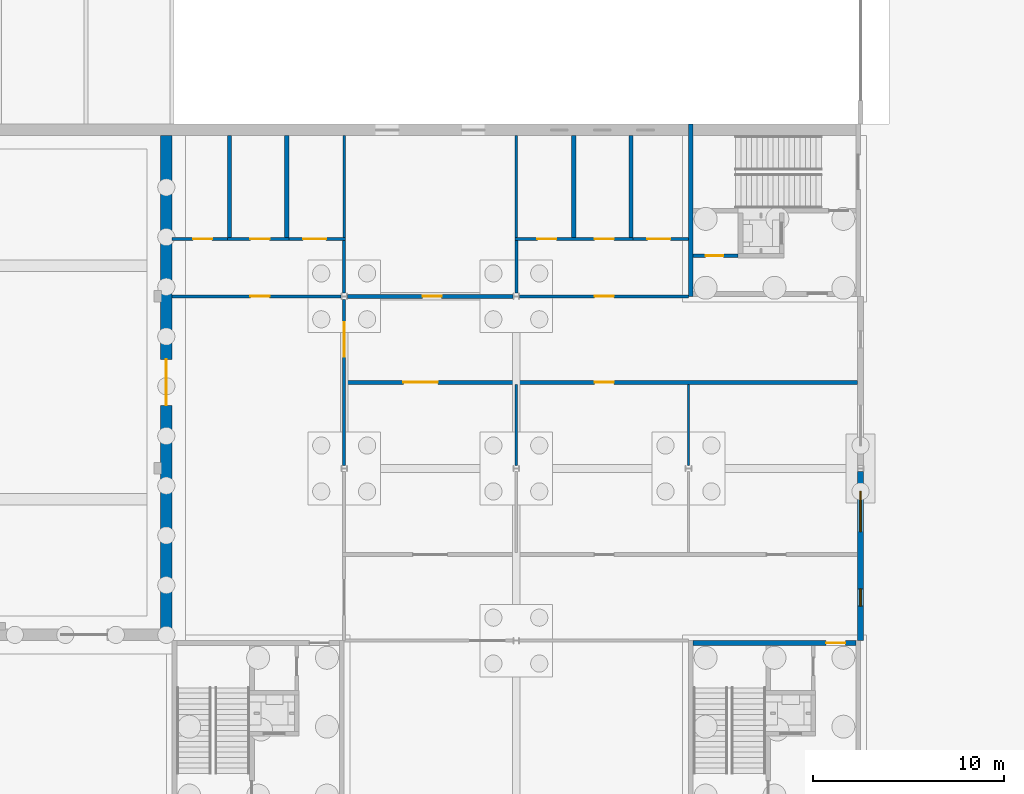
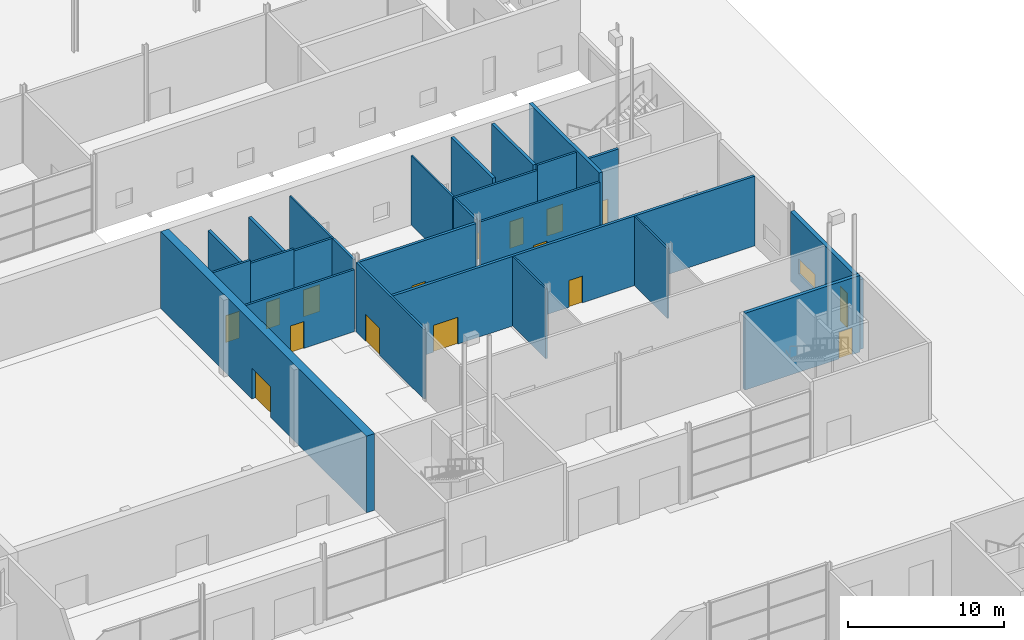
# One storey, part 77 of 97: 25 walls, 15 doors, 2 windows, 17 openings.
"""IFC4 building model written with IfcOpenShell, lengths in metres."""

from ifc_helpers import new_model, si_unit, direction, frame, frame_2d, origin, place, context, subcontext, project, spatial, rectangle, extrude, material, layer, layer_set, type_object, element, fill, save


model = new_model("IFC4")

# Units and contexts
model_context = context("Model", 3, precision=1e-05, world=origin(), true_north=direction((0.0, 1.0)))
body_context = subcontext(model_context, "Body", "Model", "MODEL_VIEW")
ifc_project = project(units=[si_unit("LENGTHUNIT", "METRE"), si_unit("AREAUNIT", "SQUARE_METRE"), si_unit("VOLUMEUNIT", "CUBIC_METRE"), si_unit("PLANEANGLEUNIT", "RADIAN"), si_unit("MASSUNIT", "GRAM", prefix="KILO")], contexts=[model_context])

# Site, building, storey
site_placement = place(None, origin())
site = spatial("IfcSite", under=ifc_project, at=site_placement, CompositionType="ELEMENT")
building_placement = place(site_placement, origin())
building = spatial("IfcBuilding", under=site, at=building_placement, Name="Corbel Yard City Hall", CompositionType="ELEMENT")
storey_placement = place(building_placement, origin())
storey = spatial("IfcBuildingStorey", under=building, at=storey_placement, Name="L00", CompositionType="ELEMENT", Elevation=0.0)

# Wall, opening, door
ifc_material_1 = material(Name="Concrete N50 (50 MPa)", Category="concrete")
ifc_layer_1 = layer(ifc_material_1, 0.60009765625)
ifc_layer_set_1 = layer_set([ifc_layer_1], Name="Concrete N50 (50 MPa)")
wall_type_1 = type_object("IfcWallType", Name="Chamber wall 600", PredefinedType="SHEAR", material=ifc_layer_set_1)
wall_1_placement = place(storey_placement, frame((143.699951171875, 54.0, 0.0), z_axis=(0.0, 0.0, 1.0), x_axis=(0.0, 1.0, 0.0)))
wall_1 = element("IfcWall", 1, at=wall_1_placement, inside=storey, type_object=wall_type_1, Name="Chamber east wall", PredefinedType="SHEAR", context=body_context, shape_type="SweptSolid", body=[
    extrude(rectangle(XDim=26.39990234375, YDim=0.60009765625, at=frame_2d((13.199951171875, 0.0))), origin(), (0.0, 0.0, 1.0), 6.0),
])
opening_1_placement = place(wall_1_placement, frame((12.300048828125, 0.0, 0.0)))
opening_1 = element("IfcOpeningElement", 2, at=opening_1_placement, cuts=wall_1, Name="Opening L00-166", PredefinedType="OPENING", context=body_context, shape_type="SweptSolid", body=[
    extrude(rectangle(XDim=2.39990234375, YDim=2.39990234375, at=frame_2d((1.199951171875, 1.199951171875))), frame((0.0, 0.31005859375, 0.0), z_axis=(0.0, -1.0, 0.0), x_axis=(1.0, 0.0, 0.0)), (0.0, 0.0, 1.0), 0.6201171875),
])
ifc_material_2 = material(Name="Steel Grade G250", Category="steel")
door_type_1 = type_object("IfcDoorType", Name="FS9", OperationType="DOUBLE_DOOR_SINGLE_SWING", PredefinedType="DOOR", material=ifc_material_2)
door_1_placement = place(opening_1_placement, origin())
door_1 = element("IfcDoor", 3, at=door_1_placement, inside=storey, type_object=door_type_1, Name="Door Council Chamber East Aisle", OperationType="DOUBLE_DOOR_SINGLE_SWING", OverallHeight=2.39990234375, OverallWidth=2.39990234375, PredefinedType="DOOR", context=body_context, shape_type="SweptSolid", body=[
    extrude(rectangle(XDim=2.39990234375, YDim=2.39990234375, at=frame_2d((1.199951171875, 1.199951171875))), frame((0.0, 0.02490234375, 0.0), z_axis=(0.0, -1.0, 0.0), x_axis=(1.0, 0.0, 0.0)), (0.0, 0.0, 1.0), 0.050048828125),
])
fill(opening_1, door_1)

ifc_layer_2 = layer(ifc_material_1, 0.25)
ifc_layer_set_2 = layer_set([ifc_layer_2], Name="Concrete N50 (50 MPa)")
wall_type_2 = type_object("IfcWallType", Name="Core cell wall 250", PredefinedType="SHEAR", material=ifc_layer_set_2)
wall_2_placement = place(storey_placement, frame((171.25, 53.875, 0.0), z_axis=(0.0, 0.0, 1.0), x_axis=(1.0, 0.0, 0.0)))
wall_2 = element("IfcWall", 4, at=wall_2_placement, inside=storey, type_object=wall_type_2, Name="Core PC-M5 north wall", PredefinedType="SHEAR", context=body_context, shape_type="SweptSolid", body=[
    extrude(rectangle(XDim=8.5, YDim=0.25, at=frame_2d((4.25, 0.0))), origin(), (0.0, 0.0, 1.0), 6.0),
])
opening_2_placement = place(wall_2_placement, frame((6.949951171875, 0.0, 0.0)))
opening_2 = element("IfcOpeningElement", 5, at=opening_2_placement, cuts=wall_2, Name="Opening L00-168", PredefinedType="OPENING", context=body_context, shape_type="SweptSolid", body=[
    extrude(rectangle(XDim=1.0, YDim=2.10009765625, at=frame_2d((0.5, 1.050048828125))), frame((0.0, 0.135009765625, 0.0), z_axis=(0.0, -1.0, 0.0), x_axis=(1.0, 0.0, 0.0)), (0.0, 0.0, 1.0), 0.27001953125),
])
door_type_2 = type_object("IfcDoorType", Name="FS1", OperationType="SINGLE_SWING_LEFT", PredefinedType="DOOR", material=ifc_material_2)
door_2_placement = place(opening_2_placement, frame((1.0, 0.0, 0.0), z_axis=(0.0, 0.0, 1.0), x_axis=(-1.0, 0.0, 0.0)))
door_2 = element("IfcDoor", 6, at=door_2_placement, inside=storey, type_object=door_type_2, Name="Door Lift Lobby", OperationType="SINGLE_SWING_RIGHT", OverallHeight=2.10009765625, OverallWidth=1.0, PredefinedType="DOOR", context=body_context, shape_type="SweptSolid", body=[
    extrude(rectangle(XDim=1.0, YDim=2.10009765625, at=frame_2d((0.5, 1.050048828125))), frame((0.0, 0.02490234375, 0.0), z_axis=(0.0, -1.0, 0.0), x_axis=(1.0, 0.0, 0.0)), (0.0, 0.0, 1.0), 0.050048828125),
])
fill(opening_2, door_2)

# Wall
wall_3_placement = place(storey_placement, frame((171.125, 72.0, 0.0), z_axis=(0.0, 0.0, 1.0), x_axis=(0.0, 1.0, 0.0)))
element("IfcWall", 7, at=wall_3_placement, inside=storey, type_object=wall_type_2, Name="Core PC-M8 west wall", PredefinedType="SHEAR", context=body_context, shape_type="SweptSolid", body=[
    extrude(rectangle(XDim=9.0, YDim=0.25, at=frame_2d((4.5, 0.0))), origin(), (0.0, 0.0, 1.0), 6.0),
])

# Wall, openings, windows
ifc_material_3 = material(Name="Sandstone cladding", Category="masonry")
ifc_layer_3 = layer(ifc_material_3, 0.0400390625)
ifc_material_4 = material(Name="Air cavity", Category="air")
ifc_layer_4 = layer(ifc_material_4, 0.0400390625)
ifc_material_5 = material(Name="Concrete block", Category="concrete")
ifc_layer_5 = layer(ifc_material_5, 0.18994140625)
ifc_material_6 = material(Name="Gypsum plasterboard", Category="gypsum")
ifc_layer_6 = layer(ifc_material_6, 0.030029296875)
ifc_layer_set_3 = layer_set([ifc_layer_3, ifc_layer_4, ifc_layer_5, ifc_layer_6], Name="Concrete block")
wall_type_3 = type_object("IfcWallType", Name="EW1", PredefinedType="SOLIDWALL", material=ifc_layer_set_3)
wall_4_placement = place(storey_placement, frame((180.0, 54.0, 0.0), z_axis=(0.0, 0.0, 1.0), x_axis=(0.0, 1.0, 0.0)))
wall_4 = element("IfcWall", 8, at=wall_4_placement, inside=storey, type_object=wall_type_3, Name="External wall", PredefinedType="SOLIDWALL", context=body_context, shape_type="SweptSolid", body=[
    extrude(rectangle(XDim=8.846435546875, YDim=0.300048828125, at=frame_2d((4.42333984375, 0.0))), origin(), (0.0, 0.0, 1.0), 5.444091796875),
])
opening_3_placement = place(wall_4_placement, frame((1.800048828125, 0.0, 0.60009765625)))
opening_3 = element("IfcOpeningElement", 9, at=opening_3_placement, cuts=wall_4, Name="Opening WN14", PredefinedType="OPENING", context=body_context, shape_type="SweptSolid", body=[
    extrude(rectangle(XDim=0.89990234375, YDim=2.699951171875, at=frame_2d((0.449951171875, 1.35009765625))), frame((0.0, 0.159912109375, 0.0), z_axis=(0.0, -1.0, 0.0), x_axis=(1.0, 0.0, 0.0)), (0.0, 0.0, 1.0), 0.320068359375),
])
opening_4_placement = place(wall_4_placement, frame((5.699951171875, 0.0, 1.199951171875)))
opening_4 = element("IfcOpeningElement", 10, at=opening_4_placement, cuts=wall_4, Name="Opening WN19", PredefinedType="OPENING", context=body_context, shape_type="SweptSolid", body=[
    extrude(rectangle(XDim=2.10009765625, YDim=1.199951171875, at=frame_2d((1.050048828125, 0.60009765625))), frame((0.0, 0.159912109375, 0.0), z_axis=(0.0, -1.0, 0.0), x_axis=(1.0, 0.0, 0.0)), (0.0, 0.0, 1.0), 0.320068359375),
])
ifc_material_7 = material(Name="Aluminium frame, double glazed low-e glass", Category="aluminium")
window_type_1 = type_object("IfcWindowType", Name="WN14", PartitioningType="SINGLE_PANEL", PredefinedType="WINDOW", material=ifc_material_7)
window_1_placement = place(opening_3_placement, origin())
window_1 = element("IfcWindow", 11, at=window_1_placement, inside=storey, type_object=window_type_1, Name="Window WN14 L00", OverallHeight=2.699951171875, OverallWidth=0.89990234375, PartitioningType="SINGLE_PANEL", PredefinedType="WINDOW", context=body_context, shape_type="SweptSolid", body=[
    extrude(rectangle(XDim=0.89990234375, YDim=2.699951171875, at=frame_2d((0.449951171875, 1.35009765625))), frame((0.0, 0.030029296875, 0.0), z_axis=(0.0, -1.0, 0.0), x_axis=(1.0, 0.0, 0.0)), (0.0, 0.0, 1.0), 0.06005859375),
])
fill(opening_3, window_1)
window_type_2 = type_object("IfcWindowType", Name="WN19", PartitioningType="SINGLE_PANEL", PredefinedType="WINDOW", material=ifc_material_7)
window_2_placement = place(opening_4_placement, origin())
window_2 = element("IfcWindow", 12, at=window_2_placement, inside=storey, type_object=window_type_2, Name="Window WN19 L00", OverallHeight=1.199951171875, OverallWidth=2.10009765625, PartitioningType="SINGLE_PANEL", PredefinedType="WINDOW", context=body_context, shape_type="SweptSolid", body=[
    extrude(rectangle(XDim=2.10009765625, YDim=1.199951171875, at=frame_2d((1.050048828125, 0.60009765625))), frame((0.0, 0.030029296875, 0.0), z_axis=(0.0, -1.0, 0.0), x_axis=(1.0, 0.0, 0.0)), (0.0, 0.0, 1.0), 0.06005859375),
])
fill(opening_4, window_2)

# Walls
ifc_layer_7 = layer(ifc_material_6, 0.028076171875)
ifc_material_8 = material(Name="Steel Grade G550 (550 MPa yield)", Category="steel")
ifc_layer_8 = layer(ifc_material_8, 0.06396484375)
ifc_layer_9 = layer(ifc_material_6, 0.028076171875)
ifc_layer_set_4 = layer_set([ifc_layer_7, ifc_layer_8, ifc_layer_9], Name="Steel Grade G550 (550 MPa yield)")
wall_type_4 = type_object("IfcWallType", Name="PT1", PredefinedType="PARTITIONING", material=ifc_layer_set_4)
wall_5_placement = place(storey_placement, frame((153.0, 75.080078125, 0.0), z_axis=(0.0, 0.0, 1.0), x_axis=(0.0, 1.0, 0.0)))
element("IfcWall", 13, at=wall_5_placement, inside=storey, type_object=wall_type_4, Name="Partition", PredefinedType="PARTITIONING", context=body_context, shape_type="SweptSolid", body=[
    extrude(rectangle(XDim=5.31982421875, YDim=0.1201171875, at=frame_2d((2.659912109375, 0.0))), origin(), (0.0, 0.0, 1.0), 5.447021484375),
])
wall_6_placement = place(storey_placement, frame((162.0, 63.16357421875, 0.0), z_axis=(0.0, 0.0, 1.0), x_axis=(0.0, 1.0, 0.0)))
element("IfcWall", 14, at=wall_6_placement, inside=storey, type_object=wall_type_4, Name="Partition", PredefinedType="PARTITIONING", context=body_context, shape_type="SweptSolid", body=[
    extrude(rectangle(XDim=4.236328125, YDim=0.1201171875, at=frame_2d((2.1181640625, 0.0))), origin(), (0.0, 0.0, 1.0), 5.447021484375),
])
wall_7_placement = place(storey_placement, frame((162.0, 75.080078125, 0.0), z_axis=(0.0, 0.0, 1.0), x_axis=(0.0, 1.0, 0.0)))
element("IfcWall", 15, at=wall_7_placement, inside=storey, type_object=wall_type_4, Name="Partition", PredefinedType="PARTITIONING", context=body_context, shape_type="SweptSolid", body=[
    extrude(rectangle(XDim=5.31982421875, YDim=0.1201171875, at=frame_2d((2.659912109375, 0.0))), origin(), (0.0, 0.0, 1.0), 5.447021484375),
])
wall_8_placement = place(storey_placement, frame((171.0, 63.16357421875, 0.0), z_axis=(0.0, 0.0, 1.0), x_axis=(0.0, 1.0, 0.0)))
element("IfcWall", 16, at=wall_8_placement, inside=storey, type_object=wall_type_4, Name="Partition", PredefinedType="PARTITIONING", context=body_context, shape_type="SweptSolid", body=[
    extrude(rectangle(XDim=4.236328125, YDim=0.1201171875, at=frame_2d((2.1181640625, 0.0))), origin(), (0.0, 0.0, 1.0), 5.447021484375),
])

# Wall, openings, doors
ifc_layer_10 = layer(ifc_material_6, 0.031982421875)
ifc_layer_11 = layer(ifc_material_8, 0.135986328125)
ifc_layer_12 = layer(ifc_material_6, 0.031982421875)
ifc_layer_set_5 = layer_set([ifc_layer_10, ifc_layer_11, ifc_layer_12], Name="Steel Grade G550 (550 MPa yield)")
wall_type_5 = type_object("IfcWallType", Name="PT2", PredefinedType="PARTITIONING", material=ifc_layer_set_5)
wall_9_placement = place(storey_placement, frame((153.080078125, 67.5, 0.0), z_axis=(0.0, 0.0, 1.0), x_axis=(1.0, 0.0, 0.0)))
wall_9 = element("IfcWall", 17, at=wall_9_placement, inside=storey, type_object=wall_type_5, Name="Acoustic wall", PredefinedType="PARTITIONING", context=body_context, shape_type="SweptSolid", body=[
    extrude(rectangle(XDim=26.77001953125, YDim=0.199951171875, at=frame_2d((13.385009765625, 0.0))), origin(), (0.0, 0.0, 1.0), 5.447021484375),
])
opening_5_placement = place(wall_9_placement, frame((3.02001953125, 0.0, 0.0)))
opening_5 = element("IfcOpeningElement", 18, at=opening_5_placement, cuts=wall_9, Name="Opening L00-177", PredefinedType="OPENING", context=body_context, shape_type="SweptSolid", body=[
    extrude(rectangle(XDim=1.800048828125, YDim=2.10009765625, at=frame_2d((0.89990234375, 1.050048828125))), frame((0.0, 0.10986328125, 0.0), z_axis=(0.0, -1.0, 0.0), x_axis=(1.0, 0.0, 0.0)), (0.0, 0.0, 1.0), 0.219970703125),
])
opening_6_placement = place(wall_9_placement, frame((13.02001953125, 0.0, 0.0)))
opening_6 = element("IfcOpeningElement", 19, at=opening_6_placement, cuts=wall_9, Name="Opening L00-179", PredefinedType="OPENING", context=body_context, shape_type="SweptSolid", body=[
    extrude(rectangle(XDim=1.0, YDim=2.10009765625, at=frame_2d((0.5, 1.050048828125))), frame((0.0, 0.10986328125, 0.0), z_axis=(0.0, -1.0, 0.0), x_axis=(1.0, 0.0, 0.0)), (0.0, 0.0, 1.0), 0.219970703125),
])
ifc_material_9 = material(Name="Timber", Category="wood")
door_type_3 = type_object("IfcDoorType", Name="D1", OperationType="SINGLE_SWING_LEFT", PredefinedType="DOOR", material=ifc_material_9)
door_3_placement = place(opening_6_placement, frame((1.0, 0.0, 0.0), z_axis=(0.0, 0.0, 1.0), x_axis=(-1.0, 0.0, 0.0)))
door_3 = element("IfcDoor", 20, at=door_3_placement, inside=storey, type_object=door_type_3, Name="Door Members' Private Dining Room", OperationType="SINGLE_SWING_LEFT", OverallHeight=2.10009765625, OverallWidth=1.0, PredefinedType="DOOR", context=body_context, shape_type="SweptSolid", body=[
    extrude(rectangle(XDim=1.0, YDim=2.10009765625, at=frame_2d((0.5, 1.050048828125))), frame((0.0, 0.02490234375, 0.0), z_axis=(0.0, -1.0, 0.0), x_axis=(1.0, 0.0, 0.0)), (0.0, 0.0, 1.0), 0.050048828125),
])
fill(opening_6, door_3)
door_type_4 = type_object("IfcDoorType", Name="D3", OperationType="DOUBLE_DOOR_SINGLE_SWING", PredefinedType="DOOR", material=ifc_material_9)
door_4_placement = place(opening_5_placement, origin())
door_4 = element("IfcDoor", 21, at=door_4_placement, inside=storey, type_object=door_type_4, Name="Door Members' Dining", OperationType="DOUBLE_DOOR_SINGLE_SWING", OverallHeight=2.10009765625, OverallWidth=1.800048828125, PredefinedType="DOOR", context=body_context, shape_type="SweptSolid", body=[
    extrude(rectangle(XDim=1.800048828125, YDim=2.10009765625, at=frame_2d((0.89990234375, 1.050048828125))), frame((0.0, 0.02490234375, 0.0), z_axis=(0.0, -1.0, 0.0), x_axis=(1.0, 0.0, 0.0)), (0.0, 0.0, 1.0), 0.050048828125),
])
fill(opening_5, door_4)

# Wall, opening, door
wall_10_placement = place(storey_placement, frame((153.16357421875, 72.0, 0.0), z_axis=(0.0, 0.0, 1.0), x_axis=(1.0, 0.0, 0.0)))
wall_10 = element("IfcWall", 22, at=wall_10_placement, inside=storey, type_object=wall_type_5, Name="Acoustic wall", PredefinedType="PARTITIONING", context=body_context, shape_type="SweptSolid", body=[
    extrude(rectangle(XDim=8.6728515625, YDim=0.199951171875, at=frame_2d((4.33642578125, 0.0))), origin(), (0.0, 0.0, 1.0), 5.322021484375),
])
opening_7_placement = place(wall_10_placement, frame((3.9365234375, 0.0, 0.0)))
opening_7 = element("IfcOpeningElement", 23, at=opening_7_placement, cuts=wall_10, Name="Opening L00-181", PredefinedType="OPENING", context=body_context, shape_type="SweptSolid", body=[
    extrude(rectangle(XDim=1.0, YDim=2.10009765625, at=frame_2d((0.5, 1.050048828125))), frame((0.0, 0.10986328125, 0.0), z_axis=(0.0, -1.0, 0.0), x_axis=(1.0, 0.0, 0.0)), (0.0, 0.0, 1.0), 0.219970703125),
])
door_5_placement = place(opening_7_placement, origin())
door_5 = element("IfcDoor", 24, at=door_5_placement, inside=storey, type_object=door_type_3, Name="Door Members' Kitchen", OperationType="SINGLE_SWING_RIGHT", OverallHeight=2.10009765625, OverallWidth=1.0, PredefinedType="DOOR", context=body_context, shape_type="SweptSolid", body=[
    extrude(rectangle(XDim=1.0, YDim=2.10009765625, at=frame_2d((0.5, 1.050048828125))), frame((0.0, 0.02490234375, 0.0), z_axis=(0.0, -1.0, 0.0), x_axis=(1.0, 0.0, 0.0)), (0.0, 0.0, 1.0), 0.050048828125),
])
fill(opening_7, door_5)

ifc_layer_13 = layer(ifc_material_6, 0.031982421875)
ifc_layer_14 = layer(ifc_material_8, 0.095947265625)
ifc_layer_15 = layer(ifc_material_6, 0.031982421875)
ifc_layer_set_6 = layer_set([ifc_layer_13, ifc_layer_14, ifc_layer_15], Name="Steel Grade G550 (550 MPa yield)")
wall_type_6 = type_object("IfcWallType", Name="PT3", PredefinedType="PARTITIONING", material=ifc_layer_set_6)
wall_11_placement = place(storey_placement, frame((144.0, 72.0, 0.0), z_axis=(0.0, 0.0, 1.0), x_axis=(1.0, 0.0, 0.0)))
wall_11 = element("IfcWall", 25, at=wall_11_placement, inside=storey, type_object=wall_type_6, Name="Fire-resisting wall", PredefinedType="PARTITIONING", context=body_context, shape_type="SweptSolid", body=[
    extrude(rectangle(XDim=8.83642578125, YDim=0.159912109375, at=frame_2d((4.418212890625, 0.0))), origin(), (0.0, 0.0, 1.0), 4.85009765625),
])
opening_8_placement = place(wall_11_placement, frame((4.10009765625, 0.0, 0.0)))
opening_8 = element("IfcOpeningElement", 26, at=opening_8_placement, cuts=wall_11, Name="Opening L00-158", PredefinedType="OPENING", context=body_context, shape_type="SweptSolid", body=[
    extrude(rectangle(XDim=1.0, YDim=2.10009765625, at=frame_2d((0.5, 1.050048828125))), frame((0.0, 0.08984375, 0.0), z_axis=(0.0, -1.0, 0.0), x_axis=(1.0, 0.0, 0.0)), (0.0, 0.0, 1.0), 0.179931640625),
])
door_type_5 = type_object("IfcDoorType", Name="FD1", OperationType="SINGLE_SWING_LEFT", PredefinedType="DOOR", material=ifc_material_2)
door_6_placement = place(opening_8_placement, origin())
door_6 = element("IfcDoor", 27, at=door_6_placement, inside=storey, type_object=door_type_5, Name="Door WC Lobby", OperationType="SINGLE_SWING_RIGHT", OverallHeight=2.10009765625, OverallWidth=1.0, PredefinedType="DOOR", context=body_context, shape_type="SweptSolid", body=[
    extrude(rectangle(XDim=1.0, YDim=2.10009765625, at=frame_2d((0.5, 1.050048828125))), frame((0.0, 0.02490234375, 0.0), z_axis=(0.0, -1.0, 0.0), x_axis=(1.0, 0.0, 0.0)), (0.0, 0.0, 1.0), 0.050048828125),
])
fill(opening_8, door_6)

wall_12_placement = place(storey_placement, frame((162.16357421875, 72.0, 0.0), z_axis=(0.0, 0.0, 1.0), x_axis=(1.0, 0.0, 0.0)))
wall_12 = element("IfcWall", 28, at=wall_12_placement, inside=storey, type_object=wall_type_6, Name="Fire-resisting wall", PredefinedType="PARTITIONING", context=body_context, shape_type="SweptSolid", body=[
    extrude(rectangle(XDim=8.83642578125, YDim=0.159912109375, at=frame_2d((4.418212890625, 0.0))), origin(), (0.0, 0.0, 1.0), 5.322021484375),
])
opening_9_placement = place(wall_12_placement, frame((3.9365234375, 0.0, 0.0)))
opening_9 = element("IfcOpeningElement", 29, at=opening_9_placement, cuts=wall_12, Name="Opening L00-182", PredefinedType="OPENING", context=body_context, shape_type="SweptSolid", body=[
    extrude(rectangle(XDim=1.0, YDim=2.10009765625, at=frame_2d((0.5, 1.050048828125))), frame((0.0, 0.08984375, 0.0), z_axis=(0.0, -1.0, 0.0), x_axis=(1.0, 0.0, 0.0)), (0.0, 0.0, 1.0), 0.179931640625),
])
door_7_placement = place(opening_9_placement, origin())
door_7 = element("IfcDoor", 30, at=door_7_placement, inside=storey, type_object=door_type_5, Name="Door WC Lobby", OperationType="SINGLE_SWING_RIGHT", OverallHeight=2.10009765625, OverallWidth=1.0, PredefinedType="DOOR", context=body_context, shape_type="SweptSolid", body=[
    extrude(rectangle(XDim=1.0, YDim=2.10009765625, at=frame_2d((0.5, 1.050048828125))), frame((0.0, 0.02490234375, 0.0), z_axis=(0.0, -1.0, 0.0), x_axis=(1.0, 0.0, 0.0)), (0.0, 0.0, 1.0), 0.050048828125),
])
fill(opening_9, door_7)

wall_13_placement = place(storey_placement, frame((144.0, 75.0, 0.0), z_axis=(0.0, 0.0, 1.0), x_axis=(1.0, 0.0, 0.0)))
wall_13 = element("IfcWall", 31, at=wall_13_placement, inside=storey, type_object=wall_type_6, Name="Fire-resisting wall", PredefinedType="PARTITIONING", context=body_context, shape_type="SweptSolid", body=[
    extrude(rectangle(XDim=2.889892578125, YDim=0.159912109375, at=frame_2d((1.44482421875, 0.0))), origin(), (0.0, 0.0, 1.0), 5.85009765625),
])
opening_10_placement = place(wall_13_placement, frame((1.10009765625, 0.0, 0.0)))
opening_10 = element("IfcOpeningElement", 32, at=opening_10_placement, cuts=wall_13, Name="Opening L00-159", PredefinedType="OPENING", context=body_context, shape_type="SweptSolid", body=[
    extrude(rectangle(XDim=1.0, YDim=2.10009765625, at=frame_2d((0.5, 1.050048828125))), frame((0.0, 0.08984375, 0.0), z_axis=(0.0, -1.0, 0.0), x_axis=(1.0, 0.0, 0.0)), (0.0, 0.0, 1.0), 0.179931640625),
])
door_8_placement = place(opening_10_placement, origin())
door_8 = element("IfcDoor", 33, at=door_8_placement, inside=storey, type_object=door_type_5, Name="Door Women's WC", OperationType="SINGLE_SWING_RIGHT", OverallHeight=2.10009765625, OverallWidth=1.0, PredefinedType="DOOR", context=body_context, shape_type="SweptSolid", body=[
    extrude(rectangle(XDim=1.0, YDim=2.10009765625, at=frame_2d((0.5, 1.050048828125))), frame((0.0, 0.02490234375, 0.0), z_axis=(0.0, -1.0, 0.0), x_axis=(1.0, 0.0, 0.0)), (0.0, 0.0, 1.0), 0.050048828125),
])
fill(opening_10, door_8)

wall_14_placement = place(storey_placement, frame((146.889892578125, 75.0, 0.0), z_axis=(0.0, 0.0, 1.0), x_axis=(1.0, 0.0, 0.0)))
wall_14 = element("IfcWall", 34, at=wall_14_placement, inside=storey, type_object=wall_type_6, Name="Fire-resisting wall", PredefinedType="PARTITIONING", context=body_context, shape_type="SweptSolid", body=[
    extrude(rectangle(XDim=3.22021484375, YDim=0.159912109375, at=frame_2d((1.610107421875, 0.0))), origin(), (0.0, 0.0, 1.0), 5.60205078125),
])
opening_11_placement = place(wall_14_placement, frame((1.2099609375, 0.0, 0.0)))
opening_11 = element("IfcOpeningElement", 35, at=opening_11_placement, cuts=wall_14, Name="Opening L00-160", PredefinedType="OPENING", context=body_context, shape_type="SweptSolid", body=[
    extrude(rectangle(XDim=1.0, YDim=2.10009765625, at=frame_2d((0.5, 1.050048828125))), frame((0.0, 0.08984375, 0.0), z_axis=(0.0, -1.0, 0.0), x_axis=(1.0, 0.0, 0.0)), (0.0, 0.0, 1.0), 0.179931640625),
])
door_9_placement = place(opening_11_placement, origin())
door_9 = element("IfcDoor", 36, at=door_9_placement, inside=storey, type_object=door_type_5, Name="Door Men's WC", OperationType="SINGLE_SWING_RIGHT", OverallHeight=2.10009765625, OverallWidth=1.0, PredefinedType="DOOR", context=body_context, shape_type="SweptSolid", body=[
    extrude(rectangle(XDim=1.0, YDim=2.10009765625, at=frame_2d((0.5, 1.050048828125))), frame((0.0, 0.02490234375, 0.0), z_axis=(0.0, -1.0, 0.0), x_axis=(1.0, 0.0, 0.0)), (0.0, 0.0, 1.0), 0.050048828125),
])
fill(opening_11, door_9)

wall_15_placement = place(storey_placement, frame((150.110107421875, 75.0, 0.0), z_axis=(0.0, 0.0, 1.0), x_axis=(1.0, 0.0, 0.0)))
wall_15 = element("IfcWall", 37, at=wall_15_placement, inside=storey, type_object=wall_type_6, Name="Fire-resisting wall", PredefinedType="PARTITIONING", context=body_context, shape_type="SweptSolid", body=[
    extrude(rectangle(XDim=2.969970703125, YDim=0.159912109375, at=frame_2d((1.48486328125, 0.0))), origin(), (0.0, 0.0, 1.0), 5.447021484375),
])
opening_12_placement = place(wall_15_placement, frame((0.739990234375, 0.0, 0.0)))
opening_12 = element("IfcOpeningElement", 38, at=opening_12_placement, cuts=wall_15, Name="Opening L00-161", PredefinedType="OPENING", context=body_context, shape_type="SweptSolid", body=[
    extrude(rectangle(XDim=1.199951171875, YDim=2.10009765625, at=frame_2d((0.60009765625, 1.050048828125))), frame((0.0, 0.08984375, 0.0), z_axis=(0.0, -1.0, 0.0), x_axis=(1.0, 0.0, 0.0)), (0.0, 0.0, 1.0), 0.179931640625),
])
door_type_6 = type_object("IfcDoorType", Name="FD7", OperationType="SINGLE_SWING_LEFT", PredefinedType="DOOR", material=ifc_material_2)
door_10_placement = place(opening_12_placement, origin())
door_10 = element("IfcDoor", 39, at=door_10_placement, inside=storey, type_object=door_type_6, Name="Door Accessible WC", OperationType="SINGLE_SWING_LEFT", OverallHeight=2.10009765625, OverallWidth=1.199951171875, PredefinedType="DOOR", context=body_context, shape_type="SweptSolid", body=[
    extrude(rectangle(XDim=1.199951171875, YDim=2.10009765625, at=frame_2d((0.60009765625, 1.050048828125))), frame((0.0, 0.02490234375, 0.0), z_axis=(0.0, -1.0, 0.0), x_axis=(1.0, 0.0, 0.0)), (0.0, 0.0, 1.0), 0.050048828125),
])
fill(opening_12, door_10)

# Wall, openings, doors
wall_16_placement = place(storey_placement, frame((161.919921875, 75.0, 0.0), z_axis=(0.0, 0.0, 1.0), x_axis=(1.0, 0.0, 0.0)))
wall_16 = element("IfcWall", 40, at=wall_16_placement, inside=storey, type_object=wall_type_6, Name="Fire-resisting wall", PredefinedType="PARTITIONING", context=body_context, shape_type="SweptSolid", body=[
    extrude(rectangle(XDim=6.190185546875, YDim=0.159912109375, at=frame_2d((3.09521484375, 0.0))), origin(), (0.0, 0.0, 1.0), 5.447021484375),
])
opening_13_placement = place(wall_16_placement, frame((1.179931640625, 0.0, 0.0)))
opening_13 = element("IfcOpeningElement", 41, at=opening_13_placement, cuts=wall_16, Name="Opening L00-183", PredefinedType="OPENING", context=body_context, shape_type="SweptSolid", body=[
    extrude(rectangle(XDim=1.0, YDim=2.10009765625, at=frame_2d((0.5, 1.050048828125))), frame((0.0, 0.08984375, 0.0), z_axis=(0.0, -1.0, 0.0), x_axis=(1.0, 0.0, 0.0)), (0.0, 0.0, 1.0), 0.179931640625),
])
opening_14_placement = place(wall_16_placement, frame((4.179931640625, 0.0, 0.0)))
opening_14 = element("IfcOpeningElement", 42, at=opening_14_placement, cuts=wall_16, Name="Opening L00-184", PredefinedType="OPENING", context=body_context, shape_type="SweptSolid", body=[
    extrude(rectangle(XDim=1.0, YDim=2.10009765625, at=frame_2d((0.5, 1.050048828125))), frame((0.0, 0.08984375, 0.0), z_axis=(0.0, -1.0, 0.0), x_axis=(1.0, 0.0, 0.0)), (0.0, 0.0, 1.0), 0.179931640625),
])
door_11_placement = place(opening_13_placement, origin())
door_11 = element("IfcDoor", 43, at=door_11_placement, inside=storey, type_object=door_type_5, Name="Door Women's WC", OperationType="SINGLE_SWING_RIGHT", OverallHeight=2.10009765625, OverallWidth=1.0, PredefinedType="DOOR", context=body_context, shape_type="SweptSolid", body=[
    extrude(rectangle(XDim=1.0, YDim=2.10009765625, at=frame_2d((0.5, 1.050048828125))), frame((0.0, 0.02490234375, 0.0), z_axis=(0.0, -1.0, 0.0), x_axis=(1.0, 0.0, 0.0)), (0.0, 0.0, 1.0), 0.050048828125),
])
fill(opening_13, door_11)
door_12_placement = place(opening_14_placement, origin())
door_12 = element("IfcDoor", 44, at=door_12_placement, inside=storey, type_object=door_type_5, Name="Door Men's WC", OperationType="SINGLE_SWING_RIGHT", OverallHeight=2.10009765625, OverallWidth=1.0, PredefinedType="DOOR", context=body_context, shape_type="SweptSolid", body=[
    extrude(rectangle(XDim=1.0, YDim=2.10009765625, at=frame_2d((0.5, 1.050048828125))), frame((0.0, 0.02490234375, 0.0), z_axis=(0.0, -1.0, 0.0), x_axis=(1.0, 0.0, 0.0)), (0.0, 0.0, 1.0), 0.050048828125),
])
fill(opening_14, door_12)

# Wall, opening, door
wall_17_placement = place(storey_placement, frame((168.110107421875, 75.0, 0.0), z_axis=(0.0, 0.0, 1.0), x_axis=(1.0, 0.0, 0.0)))
wall_17 = element("IfcWall", 45, at=wall_17_placement, inside=storey, type_object=wall_type_6, Name="Fire-resisting wall", PredefinedType="PARTITIONING", context=body_context, shape_type="SweptSolid", body=[
    extrude(rectangle(XDim=2.889892578125, YDim=0.159912109375, at=frame_2d((1.44482421875, 0.0))), origin(), (0.0, 0.0, 1.0), 5.85009765625),
])
opening_15_placement = place(wall_17_placement, frame((0.739990234375, 0.0, 0.0)))
opening_15 = element("IfcOpeningElement", 46, at=opening_15_placement, cuts=wall_17, Name="Opening L00-185", PredefinedType="OPENING", context=body_context, shape_type="SweptSolid", body=[
    extrude(rectangle(XDim=1.199951171875, YDim=2.10009765625, at=frame_2d((0.60009765625, 1.050048828125))), frame((0.0, 0.08984375, 0.0), z_axis=(0.0, -1.0, 0.0), x_axis=(1.0, 0.0, 0.0)), (0.0, 0.0, 1.0), 0.179931640625),
])
door_13_placement = place(opening_15_placement, origin())
door_13 = element("IfcDoor", 47, at=door_13_placement, inside=storey, type_object=door_type_6, Name="Door Accessible WC", OperationType="SINGLE_SWING_LEFT", OverallHeight=2.10009765625, OverallWidth=1.199951171875, PredefinedType="DOOR", context=body_context, shape_type="SweptSolid", body=[
    extrude(rectangle(XDim=1.199951171875, YDim=2.10009765625, at=frame_2d((0.60009765625, 1.050048828125))), frame((0.0, 0.02490234375, 0.0), z_axis=(0.0, -1.0, 0.0), x_axis=(1.0, 0.0, 0.0)), (0.0, 0.0, 1.0), 0.050048828125),
])
fill(opening_15, door_13)

wall_18_placement = place(storey_placement, frame((153.0, 63.16357421875, 0.0), z_axis=(0.0, 0.0, 1.0), x_axis=(0.0, 1.0, 0.0)))
wall_18 = element("IfcWall", 48, at=wall_18_placement, inside=storey, type_object=wall_type_6, Name="Fire-resisting wall", PredefinedType="PARTITIONING", context=body_context, shape_type="SweptSolid", body=[
    extrude(rectangle(XDim=8.6728515625, YDim=0.159912109375, at=frame_2d((4.33642578125, 0.0))), origin(), (0.0, 0.0, 1.0), 5.447021484375),
])
opening_16_placement = place(wall_18_placement, frame((5.6865234375, 0.0, 0.0)))
opening_16 = element("IfcOpeningElement", 49, at=opening_16_placement, cuts=wall_18, Name="Opening L00-175", PredefinedType="OPENING", context=body_context, shape_type="SweptSolid", body=[
    extrude(rectangle(XDim=1.800048828125, YDim=2.10009765625, at=frame_2d((0.89990234375, 1.050048828125))), frame((0.0, 0.08984375, 0.0), z_axis=(0.0, -1.0, 0.0), x_axis=(1.0, 0.0, 0.0)), (0.0, 0.0, 1.0), 0.179931640625),
])
door_type_7 = type_object("IfcDoorType", Name="FD3", OperationType="DOUBLE_DOOR_SINGLE_SWING", PredefinedType="DOOR", material=ifc_material_2)
door_14_placement = place(opening_16_placement, origin())
door_14 = element("IfcDoor", 50, at=door_14_placement, inside=storey, type_object=door_type_7, Name="Door Members' Service Corridor", OperationType="DOUBLE_DOOR_SINGLE_SWING", OverallHeight=2.10009765625, OverallWidth=1.800048828125, PredefinedType="DOOR", context=body_context, shape_type="SweptSolid", body=[
    extrude(rectangle(XDim=1.800048828125, YDim=2.10009765625, at=frame_2d((0.89990234375, 1.050048828125))), frame((0.0, 0.02490234375, 0.0), z_axis=(0.0, -1.0, 0.0), x_axis=(1.0, 0.0, 0.0)), (0.0, 0.0, 1.0), 0.050048828125),
])
fill(opening_16, door_14)

# Walls
for number, where, z_axis, x_axis, name in (
    (51, (153.0, 72.16357421875, 0.0), (0.0, 0.0, 1.0), (0.0, 1.0, 0.0), "Fire-resisting wall"),
    (52, (162.0, 72.16357421875, 0.0), (0.0, 0.0, 1.0), (0.0, 1.0, 0.0), "Fire-resisting wall"),
):
    element("IfcWall", number, at=place(storey_placement, frame(where, z_axis=z_axis, x_axis=x_axis)), inside=storey, type_object=wall_type_6, Name=name, PredefinedType="PARTITIONING", context=body_context, shape_type="SweptSolid", body=[
        extrude(rectangle(XDim=2.75634765625, YDim=0.159912109375, at=frame_2d((1.378173828125, 0.0))), origin(), (0.0, 0.0, 1.0), 5.447021484375),
    ])

# Wall, opening, door
ifc_material_10 = material(Name="Concrete block", Category="concrete")
ifc_layer_16 = layer(ifc_material_10, 0.18994140625)
ifc_layer_set_7 = layer_set([ifc_layer_16], Name="Concrete block")
wall_type_7 = type_object("IfcWallType", Name="PT4", PredefinedType="PARTITIONING", material=ifc_layer_set_7)
wall_19_placement = place(storey_placement, frame((171.25, 74.125, 0.0), z_axis=(0.0, 0.0, 1.0), x_axis=(1.0, 0.0, 0.0)))
wall_19 = element("IfcWall", 53, at=wall_19_placement, inside=storey, type_object=wall_type_7, Name="Fire-resisting block wall", PredefinedType="PARTITIONING", context=body_context, shape_type="SweptSolid", body=[
    extrude(rectangle(XDim=2.35009765625, YDim=0.18994140625, at=frame_2d((1.175048828125, 0.0))), origin(), (0.0, 0.0, 1.0), 5.75),
])
opening_17_placement = place(wall_19_placement, frame((0.652587890625, 0.0, 0.0)))
opening_17 = element("IfcOpeningElement", 54, at=opening_17_placement, cuts=wall_19, Name="Opening L00-172", PredefinedType="OPENING", context=body_context, shape_type="SweptSolid", body=[
    extrude(rectangle(XDim=0.919921875, YDim=2.10009765625, at=frame_2d((0.4599609375, 1.050048828125))), frame((0.0, 0.10498046875, 0.0), z_axis=(0.0, -1.0, 0.0), x_axis=(1.0, 0.0, 0.0)), (0.0, 0.0, 1.0), 0.2099609375),
])
door_type_8 = type_object("IfcDoorType", Name="FS5", OperationType="SINGLE_SWING_RIGHT", PredefinedType="DOOR", material=ifc_material_2)
door_15_placement = place(opening_17_placement, origin())
door_15 = element("IfcDoor", 55, at=door_15_placement, inside=storey, type_object=door_type_8, Name="Door Service Riser", OperationType="SINGLE_SWING_LEFT", OverallHeight=2.10009765625, OverallWidth=0.919921875, PredefinedType="DOOR", context=body_context, shape_type="SweptSolid", body=[
    extrude(rectangle(XDim=0.919921875, YDim=2.10009765625, at=frame_2d((0.4599609375, 1.050048828125))), frame((0.0, 0.02490234375, 0.0), z_axis=(0.0, -1.0, 0.0), x_axis=(1.0, 0.0, 0.0)), (0.0, 0.0, 1.0), 0.050048828125),
])
fill(opening_17, door_15)

# Walls
ifc_layer_17 = layer(ifc_material_6, 0.031982421875)
ifc_layer_18 = layer(ifc_material_8, 0.156005859375)
ifc_layer_19 = layer(ifc_material_6, 0.031982421875)
ifc_layer_set_8 = layer_set([ifc_layer_17, ifc_layer_18, ifc_layer_19], Name="Steel Grade G550 (550 MPa yield)")
wall_type_8 = type_object("IfcWallType", Name="PT5", PredefinedType="PLUMBINGWALL", material=ifc_layer_set_8)
for number, where, z_axis, x_axis, name in (
    (56, (147.0, 75.080078125, 0.0), (0.0, 0.0, 1.0), (0.0, 1.0, 0.0), "Wet wall"),
    (57, (150.0, 75.080078125, 0.0), (0.0, 0.0, 1.0), (0.0, 1.0, 0.0), "Wet wall"),
):
    element("IfcWall", number, at=place(storey_placement, frame(where, z_axis=z_axis, x_axis=x_axis)), inside=storey, type_object=wall_type_8, Name=name, PredefinedType="PLUMBINGWALL", context=body_context, shape_type="SweptSolid", body=[
        extrude(rectangle(XDim=5.31982421875, YDim=0.219970703125, at=frame_2d((2.659912109375, 0.0))), origin(), (0.0, 0.0, 1.0), 4.85009765625),
    ])
for number, where, z_axis, x_axis, name in (
    (58, (165.0, 75.080078125, 0.0), (0.0, 0.0, 1.0), (0.0, 1.0, 0.0), "Wet wall"),
    (59, (168.0, 75.080078125, 0.0), (0.0, 0.0, 1.0), (0.0, 1.0, 0.0), "Wet wall"),
):
    element("IfcWall", number, at=place(storey_placement, frame(where, z_axis=z_axis, x_axis=x_axis)), inside=storey, type_object=wall_type_8, Name=name, PredefinedType="PLUMBINGWALL", context=body_context, shape_type="SweptSolid", body=[
        extrude(rectangle(XDim=5.31982421875, YDim=0.219970703125, at=frame_2d((2.659912109375, 0.0))), origin(), (0.0, 0.0, 1.0), 5.85009765625),
    ])

save(model, "model.ifc")
